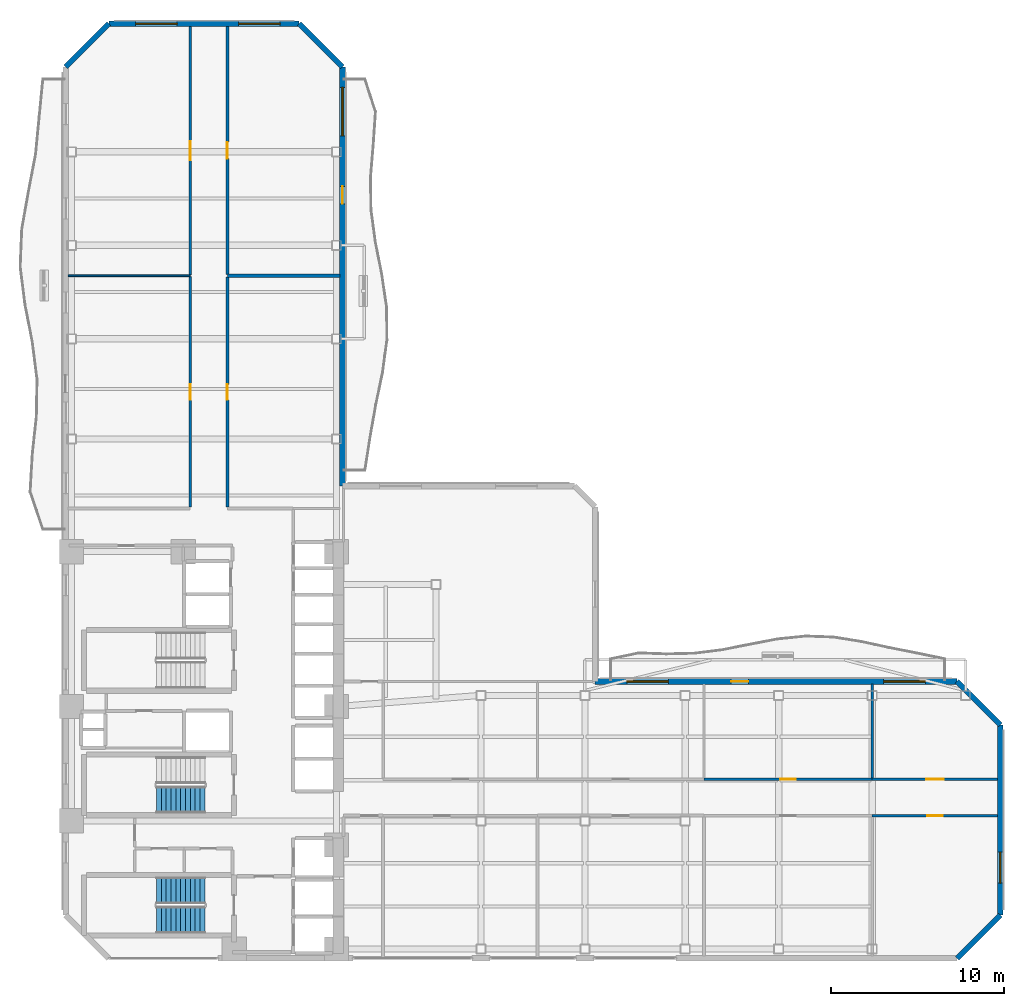
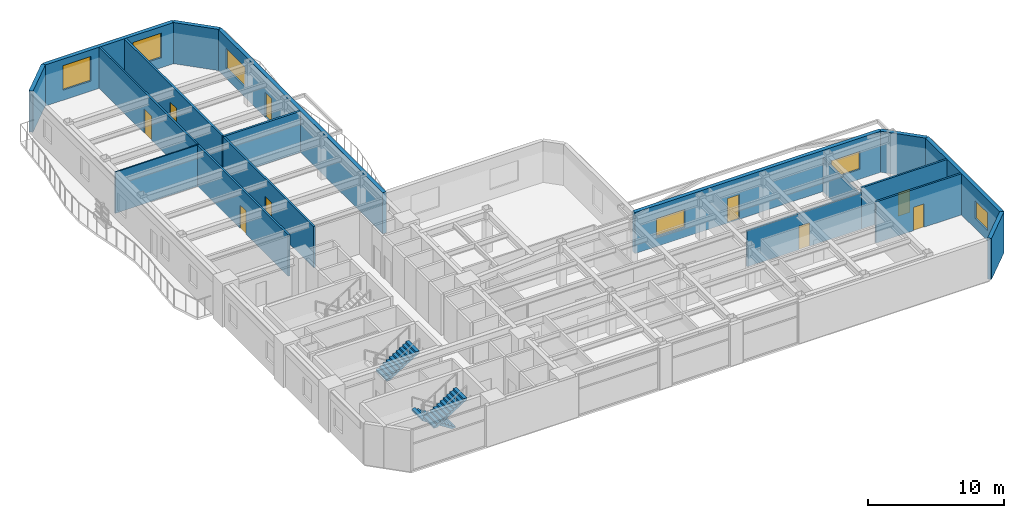
# One storey, part 12 of 16: 18 walls, 9 doors, 6 windows, 3 stair flights, 15 openings, 2 elements without a shape of their own.
"""IFC4 building model written with IfcOpenShell, lengths in metres."""

from ifc_helpers import new_model, si_unit, direction, frame, frame_2d, origin, place, context, subcontext, project, spatial, polyline, rectangle, outline, extrude, material, layer, layer_set, type_object, element, fill, aggregate, save


model = new_model("IFC4")

# Units and contexts
model_context = context("Model", 3, precision=1e-05, world=origin(), true_north=direction((0.0, 1.0)))
body_context = subcontext(model_context, "Body", "Model", "MODEL_VIEW")
ifc_project = project(units=[si_unit("LENGTHUNIT", "METRE"), si_unit("AREAUNIT", "SQUARE_METRE"), si_unit("VOLUMEUNIT", "CUBIC_METRE"), si_unit("PLANEANGLEUNIT", "RADIAN"), si_unit("MASSUNIT", "GRAM", prefix="KILO")], contexts=[model_context])

# Site, building, storey
site_placement = place(None, origin())
site = spatial("IfcSite", under=ifc_project, at=site_placement, CompositionType="ELEMENT")
building_placement = place(site_placement, origin())
building = spatial("IfcBuilding", under=site, at=building_placement, Name="Mawjaban Terraces University", CompositionType="ELEMENT")
storey_placement = place(building_placement, frame((0.0, 0.0, 54.39990234375)))
storey = spatial("IfcBuildingStorey", under=building, at=storey_placement, Name="L12", CompositionType="ELEMENT", Elevation=54.39990234375)

# Wall
ifc_material_1 = material(Name="Acoustic masonry blockwork", Category="masonry")
ifc_layer_1 = layer(ifc_material_1, 0.179931640625)
ifc_layer_set_1 = layer_set([ifc_layer_1], Name="Acoustic masonry blockwork")
wall_type_1 = type_object("IfcWallType", Name="AcousticStudioWall_180", PredefinedType="PARTITIONING", material=ifc_layer_set_1)
wall_1_placement = place(storey_placement, frame((37.844970703125, 39.43994140625, 0.0), z_axis=(0.0, 0.0, 1.0), x_axis=(-1.0, 0.0, 0.0)))
element("IfcWall", 1, at=wall_1_placement, inside=storey, type_object=wall_type_1, Name="L12 Faculty Office 11 Partition 13", PredefinedType="PARTITIONING", context=body_context, shape_type="SweptSolid", body=[
    extrude(rectangle(XDim=6.494873046875, YDim=0.179931640625, at=frame_2d((3.24755859375, 0.0))), origin(), (0.0, 0.0, 1.0), 3.690185546875),
])

# Wall, opening, door
wall_2_placement = place(storey_placement, frame((31.35009765625, 39.52490234375, 0.0), z_axis=(0.0, 0.0, 1.0), x_axis=(0.0, 1.0, 0.0)))
wall_2 = element("IfcWall", 2, at=wall_2_placement, inside=storey, type_object=wall_type_1, Name="L12 North Academic Spine Corridor Partition 34", PredefinedType="PARTITIONING", context=body_context, shape_type="SweptSolid", body=[
    extrude(rectangle(XDim=14.320068359375, YDim=0.179931640625, at=frame_2d((7.16015625, 0.0))), origin(), (0.0, 0.0, 1.0), 3.690185546875),
])
opening_1_placement = place(wall_2_placement, frame((6.68505859375, 0.0, 0.0)))
opening_1 = element("IfcOpeningElement", 3, at=opening_1_placement, cuts=wall_2, Name="Opening ID-095", PredefinedType="OPENING", context=body_context, shape_type="SweptSolid", body=[
    extrude(rectangle(XDim=0.949951171875, YDim=2.10009765625, at=frame_2d((0.47509765625, 1.050048828125))), frame((0.0, 0.099853515625, 0.0), z_axis=(0.0, -1.0, 0.0), x_axis=(1.0, 0.0, 0.0)), (0.0, 0.0, 1.0), 0.199951171875),
])
ifc_material_2 = material(Name="Powder-coated steel frame and solid acoustic timber leaf", Category="steel")
door_type_1 = type_object("IfcDoorType", Name="StudioDoor_950x2100", OperationType="NOTDEFINED", PredefinedType="DOOR", material=ifc_material_2)
door_1_placement = place(opening_1_placement, origin())
door_1 = element("IfcDoor", 4, at=door_1_placement, inside=storey, type_object=door_type_1, Name="L12 Design Studio 13 Door", OperationType="SINGLE_SWING_RIGHT", OverallHeight=2.10009765625, OverallWidth=0.949951171875, PredefinedType="DOOR", context=body_context, shape_type="SweptSolid", body=[
    extrude(rectangle(XDim=0.949951171875, YDim=2.10009765625, at=frame_2d((0.47509765625, 1.050048828125))), frame((0.0, 0.02490234375, 0.0), z_axis=(0.0, -1.0, 0.0), x_axis=(1.0, 0.0, 0.0)), (0.0, 0.0, 1.0), 0.050048828125),
])
fill(opening_1, door_1)

ifc_material_3 = material(Name="Fire-rated gypsum board on steel stud", Category="steel")
ifc_layer_2 = layer(ifc_material_3, 0.159912109375)
ifc_layer_set_2 = layer_set([ifc_layer_2], Name="Fire-rated gypsum board on steel stud")
wall_type_2 = type_object("IfcWallType", Name="CorridorPartition_160", PredefinedType="PARTITIONING", material=ifc_layer_set_2)
wall_3_placement = place(storey_placement, frame((68.60009765625, 8.25, 0.0), z_axis=(0.0, 0.0, 1.0), x_axis=(1.0, 0.0, 0.0)))
wall_3 = element("IfcWall", 5, at=wall_3_placement, inside=storey, type_object=wall_type_2, Name="L12 East Academic Spine Corridor Partition 23", PredefinedType="PARTITIONING", context=body_context, shape_type="SweptSolid", body=[
    extrude(rectangle(XDim=7.244873046875, YDim=0.159912109375, at=frame_2d((3.62255859375, 0.0))), origin(), (0.0, 0.0, 1.0), 3.690185546875),
])
opening_2_placement = place(wall_3_placement, frame((3.173095703125, 0.0, 0.0)))
opening_2 = element("IfcOpeningElement", 6, at=opening_2_placement, cuts=wall_3, Name="Opening ID-090", PredefinedType="OPENING", context=body_context, shape_type="SweptSolid", body=[
    extrude(rectangle(XDim=0.89990234375, YDim=2.10009765625, at=frame_2d((0.449951171875, 1.050048828125))), frame((0.0, 0.08984375, 0.0), z_axis=(0.0, -1.0, 0.0), x_axis=(1.0, 0.0, 0.0)), (0.0, 0.0, 1.0), 0.179931640625),
])
door_type_2 = type_object("IfcDoorType", Name="OfficeDoor_900x2100", OperationType="NOTDEFINED", PredefinedType="DOOR", material=ifc_material_2)
door_2_placement = place(opening_2_placement, origin())
door_2 = element("IfcDoor", 7, at=door_2_placement, inside=storey, type_object=door_type_2, Name="L12 Academic Counseling Room 8 Door", OperationType="SINGLE_SWING_LEFT", OverallHeight=2.10009765625, OverallWidth=0.89990234375, PredefinedType="DOOR", context=body_context, shape_type="SweptSolid", body=[
    extrude(rectangle(XDim=0.89990234375, YDim=2.10009765625, at=frame_2d((0.449951171875, 1.050048828125))), frame((0.0, 0.02490234375, 0.0), z_axis=(0.0, -1.0, 0.0), x_axis=(1.0, 0.0, 0.0)), (0.0, 0.0, 1.0), 0.050048828125),
])
fill(opening_2, door_2)

wall_4_placement = place(storey_placement, frame((68.60009765625, 10.35009765625, 0.0), z_axis=(0.0, 0.0, 1.0), x_axis=(-1.0, 0.0, 0.0)))
wall_4 = element("IfcWall", 8, at=wall_4_placement, inside=storey, type_object=wall_type_2, Name="L12 East Academic Spine Corridor Partition 24", PredefinedType="PARTITIONING", context=body_context, shape_type="SweptSolid", body=[
    extrude(rectangle(XDim=9.710205078125, YDim=0.159912109375, at=frame_2d((4.85498046875, 0.0))), origin(), (0.0, 0.0, 1.0), 3.22705078125),
])
opening_3_placement = place(wall_4_placement, frame((4.405029296875, 0.0, 0.0)))
opening_3 = element("IfcOpeningElement", 9, at=opening_3_placement, cuts=wall_4, Name="Opening ID-090", PredefinedType="OPENING", context=body_context, shape_type="SweptSolid", body=[
    extrude(rectangle(XDim=0.89990234375, YDim=2.10009765625, at=frame_2d((0.449951171875, 1.050048828125))), frame((0.0, 0.08984375, 0.0), z_axis=(0.0, -1.0, 0.0), x_axis=(1.0, 0.0, 0.0)), (0.0, 0.0, 1.0), 0.179931640625),
])
door_3_placement = place(opening_3_placement, origin())
door_3 = element("IfcDoor", 10, at=door_3_placement, inside=storey, type_object=door_type_2, Name="L12 Academic Counseling Room 7 Door", OperationType="SINGLE_SWING_RIGHT", OverallHeight=2.10009765625, OverallWidth=0.89990234375, PredefinedType="DOOR", context=body_context, shape_type="SweptSolid", body=[
    extrude(rectangle(XDim=0.89990234375, YDim=2.10009765625, at=frame_2d((0.449951171875, 1.050048828125))), frame((0.0, 0.02490234375, 0.0), z_axis=(0.0, -1.0, 0.0), x_axis=(1.0, 0.0, 0.0)), (0.0, 0.0, 1.0), 0.050048828125),
])
fill(opening_3, door_3)

wall_5_placement = place(storey_placement, frame((75.844970703125, 10.35009765625, 0.0), z_axis=(0.0, 0.0, 1.0), x_axis=(-1.0, 0.0, 0.0)))
wall_5 = element("IfcWall", 11, at=wall_5_placement, inside=storey, type_object=wall_type_2, Name="L12 East Academic Spine Corridor Partition 25", PredefinedType="PARTITIONING", context=body_context, shape_type="SweptSolid", body=[
    extrude(rectangle(XDim=7.244873046875, YDim=0.159912109375, at=frame_2d((3.62255859375, 0.0))), origin(), (0.0, 0.0, 1.0), 3.690185546875),
])
opening_4_placement = place(wall_5_placement, frame((3.123046875, 0.0, 0.0)))
opening_4 = element("IfcOpeningElement", 12, at=opening_4_placement, cuts=wall_5, Name="Opening ID-100", PredefinedType="OPENING", context=body_context, shape_type="SweptSolid", body=[
    extrude(rectangle(XDim=1.0, YDim=2.10009765625, at=frame_2d((0.5, 1.050048828125))), frame((0.0, 0.08984375, 0.0), z_axis=(0.0, -1.0, 0.0), x_axis=(1.0, 0.0, 0.0)), (0.0, 0.0, 1.0), 0.179931640625),
])
door_type_3 = type_object("IfcDoorType", Name="ClassroomDoor_1000x2100", OperationType="NOTDEFINED", PredefinedType="DOOR", material=ifc_material_2)
door_4_placement = place(opening_4_placement, origin())
door_4 = element("IfcDoor", 13, at=door_4_placement, inside=storey, type_object=door_type_3, Name="L12 Classroom 9 Door", OperationType="SINGLE_SWING_RIGHT", OverallHeight=2.10009765625, OverallWidth=1.0, PredefinedType="DOOR", context=body_context, shape_type="SweptSolid", body=[
    extrude(rectangle(XDim=1.0, YDim=2.10009765625, at=frame_2d((0.5, 1.050048828125))), frame((0.0, 0.02490234375, 0.0), z_axis=(0.0, -1.0, 0.0), x_axis=(1.0, 0.0, 0.0)), (0.0, 0.0, 1.0), 0.050048828125),
])
fill(opening_4, door_4)

wall_6_placement = place(storey_placement, frame((29.199951171875, 39.389892578125, 0.0), z_axis=(0.0, 0.0, 1.0), x_axis=(0.0, -1.0, 0.0)))
wall_6 = element("IfcWall", 14, at=wall_6_placement, inside=storey, type_object=wall_type_2, Name="L12 North Academic Spine Corridor Partition 31", PredefinedType="PARTITIONING", context=body_context, shape_type="SweptSolid", body=[
    extrude(rectangle(XDim=13.31494140625, YDim=0.159912109375, at=frame_2d((6.657470703125, 0.0))), origin(), (0.0, 0.0, 1.0), 3.690185546875),
])
opening_5_placement = place(wall_6_placement, frame((6.2080078125, 0.0, 0.0)))
opening_5 = element("IfcOpeningElement", 15, at=opening_5_placement, cuts=wall_6, Name="Opening ID-090", PredefinedType="OPENING", context=body_context, shape_type="SweptSolid", body=[
    extrude(rectangle(XDim=0.89990234375, YDim=2.10009765625, at=frame_2d((0.449951171875, 1.050048828125))), frame((0.0, 0.08984375, 0.0), z_axis=(0.0, -1.0, 0.0), x_axis=(1.0, 0.0, 0.0)), (0.0, 0.0, 1.0), 0.179931640625),
])
door_5_placement = place(opening_5_placement, origin())
door_5 = element("IfcDoor", 16, at=door_5_placement, inside=storey, type_object=door_type_2, Name="L12 Seminar Room 10 Door", OperationType="SINGLE_SWING_LEFT", OverallHeight=2.10009765625, OverallWidth=0.89990234375, PredefinedType="DOOR", context=body_context, shape_type="SweptSolid", body=[
    extrude(rectangle(XDim=0.89990234375, YDim=2.10009765625, at=frame_2d((0.449951171875, 1.050048828125))), frame((0.0, 0.02490234375, 0.0), z_axis=(0.0, -1.0, 0.0), x_axis=(1.0, 0.0, 0.0)), (0.0, 0.0, 1.0), 0.050048828125),
])
fill(opening_5, door_5)

wall_7_placement = place(storey_placement, frame((31.35009765625, 26.074951171875, 0.0), z_axis=(0.0, 0.0, 1.0), x_axis=(0.0, 1.0, 0.0)))
wall_7 = element("IfcWall", 17, at=wall_7_placement, inside=storey, type_object=wall_type_2, Name="L12 North Academic Spine Corridor Partition 33", PredefinedType="PARTITIONING", context=body_context, shape_type="SweptSolid", body=[
    extrude(rectangle(XDim=13.280029296875, YDim=0.159912109375, at=frame_2d((6.64013671875, 0.0))), origin(), (0.0, 0.0, 1.0), 3.690185546875),
])
opening_6_placement = place(wall_7_placement, frame((6.18994140625, 0.0, 0.0)))
opening_6 = element("IfcOpeningElement", 18, at=opening_6_placement, cuts=wall_7, Name="Opening ID-090", PredefinedType="OPENING", context=body_context, shape_type="SweptSolid", body=[
    extrude(rectangle(XDim=0.89990234375, YDim=2.10009765625, at=frame_2d((0.449951171875, 1.050048828125))), frame((0.0, 0.08984375, 0.0), z_axis=(0.0, -1.0, 0.0), x_axis=(1.0, 0.0, 0.0)), (0.0, 0.0, 1.0), 0.179931640625),
])
door_6_placement = place(opening_6_placement, origin())
door_6 = element("IfcDoor", 19, at=door_6_placement, inside=storey, type_object=door_type_2, Name="L12 Faculty Office 11 Door", OperationType="SINGLE_SWING_RIGHT", OverallHeight=2.10009765625, OverallWidth=0.89990234375, PredefinedType="DOOR", context=body_context, shape_type="SweptSolid", body=[
    extrude(rectangle(XDim=0.89990234375, YDim=2.10009765625, at=frame_2d((0.449951171875, 1.050048828125))), frame((0.0, 0.02490234375, 0.0), z_axis=(0.0, -1.0, 0.0), x_axis=(1.0, 0.0, 0.0)), (0.0, 0.0, 1.0), 0.050048828125),
])
fill(opening_6, door_6)

# Wall
ifc_material_4 = material(Name="Insulated terracotta rainscreen on concrete backup C40/50", Category="masonry")
ifc_layer_3 = layer(ifc_material_4, 0.320068359375)
ifc_layer_set_3 = layer_set([ifc_layer_3], Name="Insulated terracotta rainscreen on concrete backup C40/50")
wall_type_3 = type_object("IfcWallType", Name="ExtTerracottaWall_320", PredefinedType="SOLIDWALL", material=ifc_layer_set_3)
wall_8_placement = place(storey_placement, frame((73.5, 0.0, 0.0), z_axis=(0.0, 0.0, 1.0), x_axis=(0.707106781187, 0.707106781187, 0.0)))
element("IfcWall", 20, at=wall_8_placement, inside=storey, type_object=wall_type_3, Name="L12 Exterior Terracotta Wall 2", PredefinedType="SOLIDWALL", context=body_context, shape_type="SweptSolid", body=[
    extrude(rectangle(XDim=3.53564453125, YDim=0.320068359375, at=frame_2d((1.767822265625, 0.0))), origin(), (0.0, 0.0, 1.0), 3.690185546875),
])

# Wall, opening, window
wall_9_placement = place(storey_placement, frame((76.0, 2.5, 0.0), z_axis=(0.0, 0.0, 1.0), x_axis=(0.0, 1.0, 0.0)))
wall_9 = element("IfcWall", 21, at=wall_9_placement, inside=storey, type_object=wall_type_3, Name="L12 Exterior Terracotta Wall 3", PredefinedType="SOLIDWALL", context=body_context, shape_type="SweptSolid", body=[
    extrude(rectangle(XDim=11.0, YDim=0.320068359375, at=frame_2d((5.5, 0.0))), origin(), (0.0, 0.0, 1.0), 3.690185546875),
])
opening_7_placement = place(wall_9_placement, frame((1.85009765625, 0.0, 0.89990234375)))
opening_7 = element("IfcOpeningElement", 22, at=opening_7_placement, cuts=wall_9, Name="Opening W-03", PredefinedType="OPENING", context=body_context, shape_type="SweptSolid", body=[
    extrude(rectangle(XDim=1.800048828125, YDim=1.60009765625, at=frame_2d((0.89990234375, 0.800048828125))), frame((0.0, 0.169921875, 0.0), z_axis=(0.0, -1.0, 0.0), x_axis=(1.0, 0.0, 0.0)), (0.0, 0.0, 1.0), 0.340087890625),
])
ifc_material_5 = material(Name="Low-E solar-control double glazing in thermally broken aluminium frame", Category="aluminium")
window_type_1 = type_object("IfcWindowType", Name="Win_1800x1600", PartitioningType="SINGLE_PANEL", PredefinedType="WINDOW", material=ifc_material_5)
window_1_placement = place(opening_7_placement, origin())
window_1 = element("IfcWindow", 23, at=window_1_placement, inside=storey, type_object=window_type_1, Name="L12 Facade Window 3.1", OverallHeight=1.60009765625, OverallWidth=1.800048828125, PartitioningType="SINGLE_PANEL", PredefinedType="WINDOW", context=body_context, shape_type="SweptSolid", body=[
    extrude(rectangle(XDim=1.800048828125, YDim=1.60009765625, at=frame_2d((0.89990234375, 0.800048828125))), frame((0.0, 0.030029296875, 0.0), z_axis=(0.0, -1.0, 0.0), x_axis=(1.0, 0.0, 0.0)), (0.0, 0.0, 1.0), 0.06005859375),
])
fill(opening_7, window_1)

# Wall
wall_10_placement = place(storey_placement, frame((76.0, 13.5, 0.0), z_axis=(0.0, 0.0, 1.0), x_axis=(-0.707106781187, 0.707106781187, 0.0)))
element("IfcWall", 24, at=wall_10_placement, inside=storey, type_object=wall_type_3, Name="L12 Exterior Terracotta Wall 4", PredefinedType="SOLIDWALL", context=body_context, shape_type="SweptSolid", body=[
    extrude(rectangle(XDim=3.53564453125, YDim=0.320068359375, at=frame_2d((1.767822265625, 0.0))), origin(), (0.0, 0.0, 1.0), 3.690185546875),
])

# Wall, openings, door, windows
wall_11_placement = place(storey_placement, frame((73.5, 16.0, 0.0), z_axis=(0.0, 0.0, 1.0), x_axis=(-1.0, 0.0, 0.0)))
wall_11 = element("IfcWall", 25, at=wall_11_placement, inside=storey, type_object=wall_type_3, Name="L12 Exterior Terracotta Wall 5", PredefinedType="SOLIDWALL", context=body_context, shape_type="SweptSolid", body=[
    extrude(rectangle(XDim=20.89990234375, YDim=0.320068359375, at=frame_2d((10.449951171875, 0.0))), origin(), (0.0, 0.0, 1.0), 3.690185546875),
])
opening_8_placement = place(wall_11_placement, frame((12.050048828125, 0.0, 0.0)))
opening_8 = element("IfcOpeningElement", 26, at=opening_8_placement, cuts=wall_11, Name="Opening BD-100", PredefinedType="OPENING", context=body_context, shape_type="SweptSolid", body=[
    extrude(rectangle(XDim=1.0, YDim=2.199951171875, at=frame_2d((0.5, 1.10009765625))), frame((0.0, 0.169921875, 0.0), z_axis=(0.0, -1.0, 0.0), x_axis=(1.0, 0.0, 0.0)), (0.0, 0.0, 1.0), 0.340087890625),
])
opening_9_placement = place(wall_11_placement, frame((1.8330078125, 0.0, 0.89990234375)))
opening_9 = element("IfcOpeningElement", 27, at=opening_9_placement, cuts=wall_11, Name="Opening W-05", PredefinedType="OPENING", context=body_context, shape_type="SweptSolid", body=[
    extrude(rectangle(XDim=2.39990234375, YDim=1.60009765625, at=frame_2d((1.199951171875, 0.800048828125))), frame((0.0, 0.169921875, 0.0), z_axis=(0.0, -1.0, 0.0), x_axis=(1.0, 0.0, 0.0)), (0.0, 0.0, 1.0), 0.340087890625),
])
opening_10_placement = place(wall_11_placement, frame((16.6669921875, 0.0, 0.89990234375)))
opening_10 = element("IfcOpeningElement", 28, at=opening_10_placement, cuts=wall_11, Name="Opening W-05", PredefinedType="OPENING", context=body_context, shape_type="SweptSolid", body=[
    extrude(rectangle(XDim=2.39990234375, YDim=1.60009765625, at=frame_2d((1.199951171875, 0.800048828125))), frame((0.0, 0.169921875, 0.0), z_axis=(0.0, -1.0, 0.0), x_axis=(1.0, 0.0, 0.0)), (0.0, 0.0, 1.0), 0.340087890625),
])
ifc_material_6 = material(Name="Thermally broken anodised aluminium and laminated safety glass", Category="aluminium")
door_type_4 = type_object("IfcDoorType", Name="BalconyGlazedDoor_1000x2200", OperationType="NOTDEFINED", PredefinedType="DOOR", material=ifc_material_6)
door_7_placement = place(opening_8_placement, origin())
door_7 = element("IfcDoor", 29, at=door_7_placement, inside=storey, type_object=door_type_4, Name="L12 Balcony Access Door inner_north", OperationType="SINGLE_SWING_LEFT", OverallHeight=2.199951171875, OverallWidth=1.0, PredefinedType="DOOR", context=body_context, shape_type="SweptSolid", body=[
    extrude(rectangle(XDim=1.0, YDim=2.199951171875, at=frame_2d((0.5, 1.10009765625))), frame((0.0, 0.02490234375, 0.0), z_axis=(0.0, -1.0, 0.0), x_axis=(1.0, 0.0, 0.0)), (0.0, 0.0, 1.0), 0.050048828125),
])
fill(opening_8, door_7)
window_type_2 = type_object("IfcWindowType", Name="Win_2400x1600", PartitioningType="SINGLE_PANEL", PredefinedType="WINDOW", material=ifc_material_5)
window_2_placement = place(opening_9_placement, origin())
window_2 = element("IfcWindow", 30, at=window_2_placement, inside=storey, type_object=window_type_2, Name="L12 Facade Window 5.1", OverallHeight=1.60009765625, OverallWidth=2.39990234375, PartitioningType="SINGLE_PANEL", PredefinedType="WINDOW", context=body_context, shape_type="SweptSolid", body=[
    extrude(rectangle(XDim=2.39990234375, YDim=1.60009765625, at=frame_2d((1.199951171875, 0.800048828125))), frame((0.0, 0.030029296875, 0.0), z_axis=(0.0, -1.0, 0.0), x_axis=(1.0, 0.0, 0.0)), (0.0, 0.0, 1.0), 0.06005859375),
])
fill(opening_9, window_2)
window_3_placement = place(opening_10_placement, origin())
window_3 = element("IfcWindow", 31, at=window_3_placement, inside=storey, type_object=window_type_2, Name="L12 Facade Window 5.3", OverallHeight=1.60009765625, OverallWidth=2.39990234375, PartitioningType="SINGLE_PANEL", PredefinedType="WINDOW", context=body_context, shape_type="SweptSolid", body=[
    extrude(rectangle(XDim=2.39990234375, YDim=1.60009765625, at=frame_2d((1.199951171875, 0.800048828125))), frame((0.0, 0.030029296875, 0.0), z_axis=(0.0, -1.0, 0.0), x_axis=(1.0, 0.0, 0.0)), (0.0, 0.0, 1.0), 0.06005859375),
])
fill(opening_10, window_3)

# Wall, openings, door, window
wall_12_placement = place(storey_placement, frame((38.0, 27.294921875, 0.0), z_axis=(0.0, 0.0, 1.0), x_axis=(0.0, 1.0, 0.0)))
wall_12 = element("IfcWall", 32, at=wall_12_placement, inside=storey, type_object=wall_type_3, Name="L12 Exterior Terracotta Wall 9", PredefinedType="SOLIDWALL", context=body_context, shape_type="SweptSolid", body=[
    extrude(rectangle(XDim=24.205078125, YDim=0.320068359375, at=frame_2d((12.1025390625, 0.0))), origin(), (0.0, 0.0, 1.0), 3.690185546875),
])
opening_11_placement = place(wall_12_placement, frame((16.302978515625, 0.0, 0.0)))
opening_11 = element("IfcOpeningElement", 33, at=opening_11_placement, cuts=wall_12, Name="Opening BD-100", PredefinedType="OPENING", context=body_context, shape_type="SweptSolid", body=[
    extrude(rectangle(XDim=1.0, YDim=2.199951171875, at=frame_2d((0.5, 1.10009765625))), frame((0.0, 0.169921875, 0.0), z_axis=(0.0, -1.0, 0.0), x_axis=(1.0, 0.0, 0.0)), (0.0, 0.0, 1.0), 0.340087890625),
])
opening_12_placement = place(wall_12_placement, frame((20.22900390625, 0.0, 0.89990234375)))
opening_12 = element("IfcOpeningElement", 34, at=opening_12_placement, cuts=wall_12, Name="Opening W-09", PredefinedType="OPENING", context=body_context, shape_type="SweptSolid", body=[
    extrude(rectangle(XDim=2.800048828125, YDim=1.800048828125, at=frame_2d((1.39990234375, 0.89990234375))), frame((0.0, 0.169921875, 0.0), z_axis=(0.0, -1.0, 0.0), x_axis=(1.0, 0.0, 0.0)), (0.0, 0.0, 1.0), 0.340087890625),
])
door_8_placement = place(opening_11_placement, origin())
door_8 = element("IfcDoor", 35, at=door_8_placement, inside=storey, type_object=door_type_4, Name="L12 Balcony Access Door inner_east", OperationType="SINGLE_SWING_LEFT", OverallHeight=2.199951171875, OverallWidth=1.0, PredefinedType="DOOR", context=body_context, shape_type="SweptSolid", body=[
    extrude(rectangle(XDim=1.0, YDim=2.199951171875, at=frame_2d((0.5, 1.10009765625))), frame((0.0, 0.02490234375, 0.0), z_axis=(0.0, -1.0, 0.0), x_axis=(1.0, 0.0, 0.0)), (0.0, 0.0, 1.0), 0.050048828125),
])
fill(opening_11, door_8)
window_type_3 = type_object("IfcWindowType", Name="Win_2800x1800", PartitioningType="SINGLE_PANEL", PredefinedType="WINDOW", material=ifc_material_5)
window_4_placement = place(opening_12_placement, origin())
window_4 = element("IfcWindow", 36, at=window_4_placement, inside=storey, type_object=window_type_3, Name="L12 Facade Window 9.4", OverallHeight=1.800048828125, OverallWidth=2.800048828125, PartitioningType="SINGLE_PANEL", PredefinedType="WINDOW", context=body_context, shape_type="SweptSolid", body=[
    extrude(rectangle(XDim=2.800048828125, YDim=1.800048828125, at=frame_2d((1.39990234375, 0.89990234375))), frame((0.0, 0.030029296875, 0.0), z_axis=(0.0, -1.0, 0.0), x_axis=(1.0, 0.0, 0.0)), (0.0, 0.0, 1.0), 0.06005859375),
])
fill(opening_12, window_4)

# Wall
wall_13_placement = place(storey_placement, frame((38.0, 51.5, 0.0), z_axis=(0.0, 0.0, 1.0), x_axis=(-0.707106781187, 0.707106781187, 0.0)))
element("IfcWall", 37, at=wall_13_placement, inside=storey, type_object=wall_type_3, Name="L12 Exterior Terracotta Wall 10", PredefinedType="SOLIDWALL", context=body_context, shape_type="SweptSolid", body=[
    extrude(rectangle(XDim=3.53564453125, YDim=0.320068359375, at=frame_2d((1.767822265625, 0.0))), origin(), (0.0, 0.0, 1.0), 3.690185546875),
])

# Wall, openings, windows
wall_14_placement = place(storey_placement, frame((35.5, 54.0, 0.0), z_axis=(0.0, 0.0, 1.0), x_axis=(-1.0, 0.0, 0.0)))
wall_14 = element("IfcWall", 38, at=wall_14_placement, inside=storey, type_object=wall_type_3, Name="L12 Exterior Terracotta Wall 11", PredefinedType="SOLIDWALL", context=body_context, shape_type="SweptSolid", body=[
    extrude(rectangle(XDim=11.0, YDim=0.320068359375, at=frame_2d((5.5, 0.0))), origin(), (0.0, 0.0, 1.0), 3.690185546875),
])
opening_13_placement = place(wall_14_placement, frame((1.10009765625, 0.0, 0.89990234375)))
opening_13 = element("IfcOpeningElement", 39, at=opening_13_placement, cuts=wall_14, Name="Opening W-11", PredefinedType="OPENING", context=body_context, shape_type="SweptSolid", body=[
    extrude(rectangle(XDim=2.39990234375, YDim=2.199951171875, at=frame_2d((1.199951171875, 1.10009765625))), frame((0.0, 0.169921875, 0.0), z_axis=(0.0, -1.0, 0.0), x_axis=(1.0, 0.0, 0.0)), (0.0, 0.0, 1.0), 0.340087890625),
])
opening_14_placement = place(wall_14_placement, frame((7.050048828125, 0.0, 0.89990234375)))
opening_14 = element("IfcOpeningElement", 40, at=opening_14_placement, cuts=wall_14, Name="Opening W-11", PredefinedType="OPENING", context=body_context, shape_type="SweptSolid", body=[
    extrude(rectangle(XDim=2.39990234375, YDim=2.199951171875, at=frame_2d((1.199951171875, 1.10009765625))), frame((0.0, 0.169921875, 0.0), z_axis=(0.0, -1.0, 0.0), x_axis=(1.0, 0.0, 0.0)), (0.0, 0.0, 1.0), 0.340087890625),
])
window_type_4 = type_object("IfcWindowType", Name="Win_2400x2200", PartitioningType="SINGLE_PANEL", PredefinedType="WINDOW", material=ifc_material_5)
window_5_placement = place(opening_13_placement, origin())
window_5 = element("IfcWindow", 41, at=window_5_placement, inside=storey, type_object=window_type_4, Name="L12 Facade Window 11.1", OverallHeight=2.199951171875, OverallWidth=2.39990234375, PartitioningType="SINGLE_PANEL", PredefinedType="WINDOW", context=body_context, shape_type="SweptSolid", body=[
    extrude(rectangle(XDim=2.39990234375, YDim=2.199951171875, at=frame_2d((1.199951171875, 1.10009765625))), frame((0.0, 0.030029296875, 0.0), z_axis=(0.0, -1.0, 0.0), x_axis=(1.0, 0.0, 0.0)), (0.0, 0.0, 1.0), 0.06005859375),
])
fill(opening_13, window_5)
window_6_placement = place(opening_14_placement, origin())
window_6 = element("IfcWindow", 42, at=window_6_placement, inside=storey, type_object=window_type_4, Name="L12 Facade Window 11.2", OverallHeight=2.199951171875, OverallWidth=2.39990234375, PartitioningType="SINGLE_PANEL", PredefinedType="WINDOW", context=body_context, shape_type="SweptSolid", body=[
    extrude(rectangle(XDim=2.39990234375, YDim=2.199951171875, at=frame_2d((1.199951171875, 1.10009765625))), frame((0.0, 0.030029296875, 0.0), z_axis=(0.0, -1.0, 0.0), x_axis=(1.0, 0.0, 0.0)), (0.0, 0.0, 1.0), 0.06005859375),
])
fill(opening_14, window_6)

# Wall
wall_15_placement = place(storey_placement, frame((24.5, 54.0, 0.0), z_axis=(0.0, 0.0, 1.0), x_axis=(-0.707106781187, -0.707106781187, 0.0)))
element("IfcWall", 43, at=wall_15_placement, inside=storey, type_object=wall_type_3, Name="L12 Exterior Terracotta Wall 12", PredefinedType="SOLIDWALL", context=body_context, shape_type="SweptSolid", body=[
    extrude(rectangle(XDim=3.53564453125, YDim=0.320068359375, at=frame_2d((1.767822265625, 0.0))), origin(), (0.0, 0.0, 1.0), 3.690185546875),
])

# Wall, opening, door
ifc_material_7 = material(Name="Moisture-resistant gypsum board on steel stud", Category="steel")
ifc_layer_4 = layer(ifc_material_7, 0.14501953125)
ifc_layer_set_4 = layer_set([ifc_layer_4], Name="Moisture-resistant gypsum board on steel stud")
wall_type_4 = type_object("IfcWallType", Name="LabPartition_145", PredefinedType="PARTITIONING", material=ifc_layer_set_4)
wall_16_placement = place(storey_placement, frame((29.199951171875, 53.844970703125, 0.0), z_axis=(0.0, 0.0, 1.0), x_axis=(0.0, -1.0, 0.0)))
wall_16 = element("IfcWall", 44, at=wall_16_placement, inside=storey, type_object=wall_type_4, Name="L12 North Academic Spine Corridor Partition 32", PredefinedType="PARTITIONING", context=body_context, shape_type="SweptSolid", body=[
    extrude(rectangle(XDim=14.35498046875, YDim=0.14501953125, at=frame_2d((7.177490234375, 0.0))), origin(), (0.0, 0.0, 1.0), 3.690185546875),
])
opening_15_placement = place(wall_16_placement, frame((6.626953125, 0.0, 0.0)))
opening_15 = element("IfcOpeningElement", 45, at=opening_15_placement, cuts=wall_16, Name="Opening ID-110", PredefinedType="OPENING", context=body_context, shape_type="SweptSolid", body=[
    extrude(rectangle(XDim=1.10009765625, YDim=2.14990234375, at=frame_2d((0.550048828125, 1.074951171875))), frame((0.0, 0.08251953125, 0.0), z_axis=(0.0, -1.0, 0.0), x_axis=(1.0, 0.0, 0.0)), (0.0, 0.0, 1.0), 0.1650390625),
])
door_type_5 = type_object("IfcDoorType", Name="LabDoor_1100x2150", OperationType="NOTDEFINED", PredefinedType="DOOR", material=ifc_material_2)
door_9_placement = place(opening_15_placement, origin())
door_9 = element("IfcDoor", 46, at=door_9_placement, inside=storey, type_object=door_type_5, Name="L12 Teaching Laboratory 12 Door", OperationType="SINGLE_SWING_LEFT", OverallHeight=2.14990234375, OverallWidth=1.10009765625, PredefinedType="DOOR", context=body_context, shape_type="SweptSolid", body=[
    extrude(rectangle(XDim=1.10009765625, YDim=2.14990234375, at=frame_2d((0.550048828125, 1.074951171875))), frame((0.0, 0.02490234375, 0.0), z_axis=(0.0, -1.0, 0.0), x_axis=(1.0, 0.0, 0.0)), (0.0, 0.0, 1.0), 0.050048828125),
])
fill(opening_15, door_9)

# Walls
ifc_material_8 = material(Name="Gypsum plasterboard on steel stud", Category="steel")
ifc_layer_5 = layer(ifc_material_8, 0.125)
ifc_layer_set_5 = layer_set([ifc_layer_5], Name="Gypsum plasterboard on steel stud")
wall_type_5 = type_object("IfcWallType", Name="OfficePartition_125", PredefinedType="PARTITIONING", material=ifc_layer_set_5)
wall_17_placement = place(storey_placement, frame((68.60009765625, 10.425048828125, 0.0), z_axis=(0.0, 0.0, 1.0), x_axis=(0.0, 1.0, 0.0)))
element("IfcWall", 47, at=wall_17_placement, inside=storey, type_object=wall_type_5, Name="L12 Academic Counseling Room 7 Partition 47", PredefinedType="PARTITIONING", context=body_context, shape_type="SweptSolid", body=[
    extrude(rectangle(XDim=5.419921875, YDim=0.125, at=frame_2d((2.7099609375, 0.0))), origin(), (0.0, 0.0, 1.0), 2.9951171875),
])
ifc_material_9 = material(Name="Acoustic operable panel partition", Category="masonry")
ifc_layer_6 = layer(ifc_material_9, 0.110107421875)
ifc_layer_set_6 = layer_set([ifc_layer_6], Name="Acoustic operable panel partition")
wall_type_6 = type_object("IfcWallType", Name="OperableSeminarWall_110", PredefinedType="MOVABLE", material=ifc_layer_set_6)
wall_18_placement = place(storey_placement, frame((29.199951171875, 39.43994140625, 0.0), z_axis=(0.0, 0.0, 1.0), x_axis=(-1.0, 0.0, 0.0)))
element("IfcWall", 48, at=wall_18_placement, inside=storey, type_object=wall_type_6, Name="L12 Seminar Room 10 Partition 8", PredefinedType="MOVABLE", context=body_context, shape_type="SweptSolid", body=[
    extrude(rectangle(XDim=7.044921875, YDim=0.110107421875, at=frame_2d((3.5224609375, 0.0))), origin(), (0.0, 0.0, 1.0), 3.690185546875),
])

# Stair, stair flights
ifc_material_10 = material(Name="Concrete C40/50", Category="concrete")
stair_type = type_object("IfcStairType", Name="Stair_Core1550_H39", PredefinedType="HALF_TURN_STAIR", material=ifc_material_10)
stair_1_placement = place(storey_placement, origin())
stair_1 = element("IfcStair", 49, at=stair_1_placement, inside=storey, type_object=stair_type, Name="L12 Core Exit Stair 1", PredefinedType="HALF_TURN_STAIR")
stair_flight_type = type_object("IfcStairFlightType", Name="Flight_Core1550_H39", PredefinedType="STRAIGHT", material=ifc_material_10)
stair_flight_1_placement = place(storey_placement, frame((30.050048828125, 3.925048828125, 0.0), z_axis=(0.0, 0.0, 1.0), x_axis=(-1.0, 0.0, 0.0)))
stair_flight_1 = element("IfcStairFlight", 50, at=stair_flight_1_placement, type_object=stair_flight_type, Name="ST-1 flight 1", NumberOfRisers=11, NumberOfTreads=10, PredefinedType="STRAIGHT", RiserHeight=0.177272727, TreadLength=0.28, context=body_context, shape_type="SweptSolid", body=[
    extrude(outline(polyline([(0.0, 0.0), (0.0, 0.17724609375), (0.280029296875, 0.17724609375), (0.280029296875, 0.3544921875), (0.56005859375, 0.3544921875), (0.56005859375, 0.53173828125), (0.840087890625, 0.53173828125), (0.840087890625, 0.708984375), (1.1201171875, 0.708984375), (1.1201171875, 0.886474609375), (1.39990234375, 0.886474609375), (1.39990234375, 1.063720703125), (1.679931640625, 1.063720703125), (1.679931640625, 1.240966796875), (1.9599609375, 1.240966796875), (1.9599609375, 1.418212890625), (2.239990234375, 1.418212890625), (2.239990234375, 1.595458984375), (2.52001953125, 1.595458984375), (2.52001953125, 1.772705078125), (2.800048828125, 1.772705078125), (2.800048828125, 1.949951171875), (2.800048828125, 1.59521484375), (0.2802734375, 0.0), (0.0, 0.0)])), frame((0.0, 0.77490234375, 0.0), z_axis=(0.0, -1.0, 0.0), x_axis=(1.0, 0.0, 0.0)), (0.0, 0.0, 1.0), 1.550048828125),
])
stair_flight_2_placement = place(storey_placement, frame((27.25, 2.22509765625, 1.9501953125), z_axis=(0.0, 0.0, 1.0), x_axis=(1.0, 0.0, 0.0)))
stair_flight_2 = element("IfcStairFlight", 51, at=stair_flight_2_placement, type_object=stair_flight_type, Name="ST-1 flight 2", NumberOfRisers=11, NumberOfTreads=10, PredefinedType="STRAIGHT", RiserHeight=0.177272727, TreadLength=0.28, context=body_context, shape_type="SweptSolid", body=[
    extrude(outline(polyline([(0.0, 0.0), (0.0, 0.17724609375), (0.280029296875, 0.17724609375), (0.280029296875, 0.3544921875), (0.56005859375, 0.3544921875), (0.56005859375, 0.53173828125), (0.840087890625, 0.53173828125), (0.840087890625, 0.708984375), (1.1201171875, 0.708984375), (1.1201171875, 0.886474609375), (1.39990234375, 0.886474609375), (1.39990234375, 1.063720703125), (1.679931640625, 1.063720703125), (1.679931640625, 1.240966796875), (1.9599609375, 1.240966796875), (1.9599609375, 1.418212890625), (2.239990234375, 1.418212890625), (2.239990234375, 1.595458984375), (2.52001953125, 1.595458984375), (2.52001953125, 1.772705078125), (2.800048828125, 1.772705078125), (2.800048828125, 1.949951171875), (2.800048828125, 1.59521484375), (0.2802734375, 0.0), (0.0, 0.0)])), frame((0.0, 0.77490234375, 0.0), z_axis=(0.0, -1.0, 0.0), x_axis=(1.0, 0.0, 0.0)), (0.0, 0.0, 1.0), 1.550048828125),
])
aggregate(stair_1, [stair_flight_1, stair_flight_2])

# Stair, stair flight
stair_2_placement = place(storey_placement, origin())
stair_2 = element("IfcStair", 52, at=stair_2_placement, inside=storey, type_object=stair_type, Name="L12 Core Exit Stair 3", PredefinedType="HALF_TURN_STAIR")
stair_flight_3_placement = place(storey_placement, frame((27.25, 9.175048828125, 1.9501953125), z_axis=(0.0, 0.0, 1.0), x_axis=(1.0, 0.0, 0.0)))
stair_flight_3 = element("IfcStairFlight", 53, at=stair_flight_3_placement, type_object=stair_flight_type, Name="ST-3 flight 2", NumberOfRisers=11, NumberOfTreads=10, PredefinedType="STRAIGHT", RiserHeight=0.177272727, TreadLength=0.28, context=body_context, shape_type="SweptSolid", body=[
    extrude(outline(polyline([(0.0, 0.0), (0.0, 0.17724609375), (0.280029296875, 0.17724609375), (0.280029296875, 0.3544921875), (0.56005859375, 0.3544921875), (0.56005859375, 0.53173828125), (0.840087890625, 0.53173828125), (0.840087890625, 0.708984375), (1.1201171875, 0.708984375), (1.1201171875, 0.886474609375), (1.39990234375, 0.886474609375), (1.39990234375, 1.063720703125), (1.679931640625, 1.063720703125), (1.679931640625, 1.240966796875), (1.9599609375, 1.240966796875), (1.9599609375, 1.418212890625), (2.239990234375, 1.418212890625), (2.239990234375, 1.595458984375), (2.52001953125, 1.595458984375), (2.52001953125, 1.772705078125), (2.800048828125, 1.772705078125), (2.800048828125, 1.949951171875), (2.800048828125, 1.59521484375), (0.2802734375, 0.0), (0.0, 0.0)])), frame((0.0, 0.77490234375, 0.0), z_axis=(0.0, -1.0, 0.0), x_axis=(1.0, 0.0, 0.0)), (0.0, 0.0, 1.0), 1.550048828125),
])
aggregate(stair_2, [stair_flight_3])

save(model, "model.ifc")
